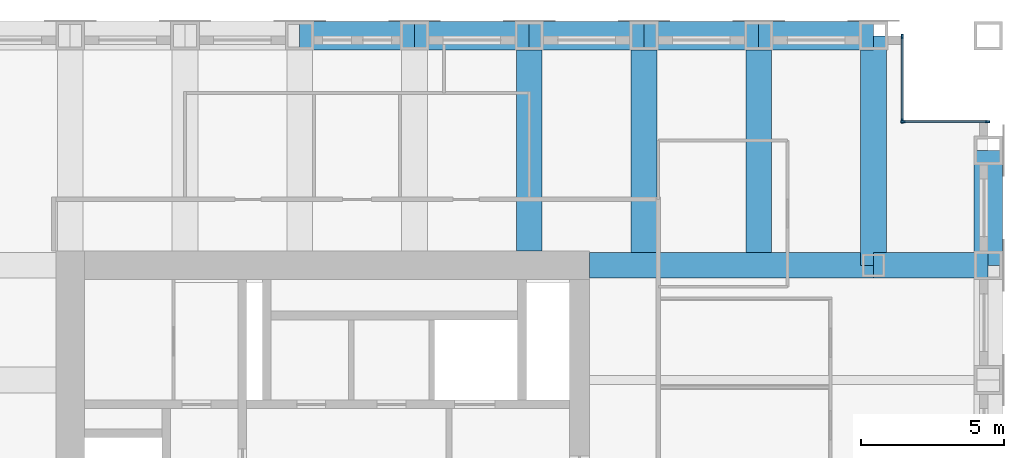
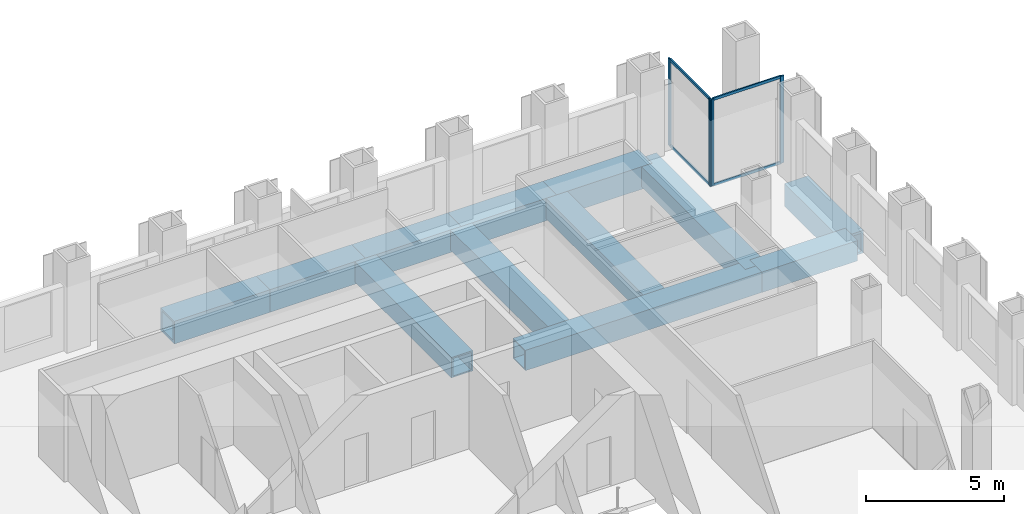
# One storey, part 6 of 11: 12 beams, 8 members, 2 elements without a shape of their own.
"""IFC4 building model written with IfcOpenShell, lengths in metres."""

from ifc_helpers import new_model, si_unit, direction, frame, origin, origin_2d, place, context, subcontext, project, spatial, rectangle, hollow_rectangle, extrude, material, material_profile, profile_set, type_object, element, aggregate, save


model = new_model("IFC4")

# Units and contexts
model_context = context("Model", 3, precision=1e-05, world=origin(), true_north=direction((0.0, 1.0)))
body_context = subcontext(model_context, "Body", "Model", "MODEL_VIEW")
ifc_project = project(units=[si_unit("LENGTHUNIT", "METRE"), si_unit("AREAUNIT", "SQUARE_METRE"), si_unit("VOLUMEUNIT", "CUBIC_METRE"), si_unit("PLANEANGLEUNIT", "RADIAN"), si_unit("MASSUNIT", "GRAM", prefix="KILO")], contexts=[model_context])

# Site, building, storey
site_placement = place(None, origin())
site = spatial("IfcSite", under=ifc_project, at=site_placement, CompositionType="ELEMENT")
building_placement = place(site_placement, origin())
building = spatial("IfcBuilding", under=site, at=building_placement, Name="Rimbunsela Tower", CompositionType="ELEMENT")
storey_placement = place(building_placement, frame((0.0, 0.0, 250.199951171875)))
storey = spatial("IfcBuildingStorey", under=building, at=storey_placement, Name="L60", CompositionType="ELEMENT", Elevation=250.199951171875)

# Beams
ifc_material_1 = material(Name="Steel BJ 55 (fy 410 MPa)", Category="steel")
ifc_material_profile_1 = material_profile(ifc_material_1, hollow_rectangle(XDim=1.0, YDim=1.0, WallThickness=0.10009765625, at=origin_2d()), Name="BOX 1000x1000x100")
ifc_profile_set_1 = profile_set([ifc_material_profile_1], Name="Steel BJ 55 (fy 410 MPa)")
beam_type_1 = type_object("IfcBeamType", Name="Beam BOX 1000x1000x100", PredefinedType="BEAM", material=ifc_profile_set_1)
for number, where, z_axis, x_axis, name in (
    (1, (26.0, 44.0, -0.64990234375), (1.0, 0.0, 0.0), (0.0, 1.0, 0.0), "Beam B3 L60"),
    (2, (30.0, 44.0, -0.64990234375), (1.0, 0.0, 0.0), (0.0, 1.0, 0.0), "Beam B3 L60"),
    (3, (34.0, 44.0, -0.64990234375), (1.0, 0.0, 0.0), (0.0, 1.0, 0.0), "Beam B3 L60"),
    (4, (38.0, 44.0, -0.64990234375), (1.0, 0.0, 0.0), (0.0, 1.0, 0.0), "Beam B3 L60"),
    (5, (42.0, 44.0, -0.64990234375), (1.0, 0.0, 0.0), (0.0, 1.0, 0.0), "Beam B3 L60"),
    (6, (50.0, 36.0, -0.64990234375), (0.0, 1.0, 0.0), (-1.0, 0.0, 0.0), "Beam B3 L60"),
):
    element("IfcBeam", number, at=place(storey_placement, frame(where, z_axis=z_axis, x_axis=x_axis)), inside=storey, type_object=beam_type_1, Name=name, PredefinedType="BEAM", context=body_context, shape_type="SweptSolid", body=[
        extrude(hollow_rectangle(XDim=1.0, YDim=1.0, WallThickness=0.10009765625, at=origin_2d()), origin(), (0.0, 0.0, 1.0), 4.0),
    ])
ifc_material_2 = material(Name="Steel BJ 55 (fy 410 MPa)", Category="steel")
ifc_material_profile_2 = material_profile(ifc_material_2, hollow_rectangle(XDim=0.89990234375, YDim=0.89990234375, WallThickness=0.06005859375, at=origin_2d()), Name="BOX 900x900x60")
ifc_profile_set_2 = profile_set([ifc_material_profile_2], Name="Steel BJ 55 (fy 410 MPa)")
beam_type_2 = type_object("IfcBeamType", Name="Beam BOX 900x900x60", PredefinedType="BEAM", material=ifc_profile_set_2)
beam_1_placement = place(storey_placement, frame((34.0, 36.5, -0.599853515625), z_axis=(0.0, 1.0, 0.0), x_axis=(-1.0, 0.0, 0.0)))
element("IfcBeam", 7, at=beam_1_placement, inside=storey, type_object=beam_type_2, Name="Beam B1 L60", PredefinedType="BEAM", context=body_context, shape_type="SweptSolid", body=[
    extrude(hollow_rectangle(XDim=0.89990234375, YDim=0.89990234375, WallThickness=0.06005859375, at=origin_2d()), origin(), (0.0, 0.0, 1.0), 7.5),
])
beam_2_placement = place(storey_placement, frame((36.10009765625, 36.0, -0.599853515625), z_axis=(1.0, 0.0, 0.0), x_axis=(0.0, 1.0, 0.0)))
element("IfcBeam", 8, at=beam_2_placement, inside=storey, type_object=beam_type_2, Name="Beam B1 L60", PredefinedType="BEAM", context=body_context, shape_type="SweptSolid", body=[
    extrude(hollow_rectangle(XDim=0.89990234375, YDim=0.89990234375, WallThickness=0.06005859375, at=origin_2d()), origin(), (0.0, 0.0, 1.0), 9.89990234375),
])
for number, where, z_axis, x_axis, name in (
    (9, (38.0, 36.449951171875, -0.599853515625), (0.0, 1.0, 0.0), (-1.0, 0.0, 0.0), "Beam B1 L60"),
    (10, (42.0, 36.449951171875, -0.599853515625), (0.0, 1.0, 0.0), (-1.0, 0.0, 0.0), "Beam B1 L60"),
):
    element("IfcBeam", number, at=place(storey_placement, frame(where, z_axis=z_axis, x_axis=x_axis)), inside=storey, type_object=beam_type_2, Name=name, PredefinedType="BEAM", context=body_context, shape_type="SweptSolid", body=[
        extrude(hollow_rectangle(XDim=0.89990234375, YDim=0.89990234375, WallThickness=0.06005859375, at=origin_2d()), origin(), (0.0, 0.0, 1.0), 7.550048828125),
    ])
beam_3_placement = place(storey_placement, frame((46.0, 36.0, -0.599853515625), z_axis=(0.0, 1.0, 0.0), x_axis=(-1.0, 0.0, 0.0)))
element("IfcBeam", 11, at=beam_3_placement, inside=storey, type_object=beam_type_2, Name="Beam B1 L60", PredefinedType="BEAM", context=body_context, shape_type="SweptSolid", body=[
    extrude(hollow_rectangle(XDim=0.89990234375, YDim=0.89990234375, WallThickness=0.06005859375, at=origin_2d()), origin(), (0.0, 0.0, 1.0), 8.0),
])
beam_4_placement = place(storey_placement, frame((46.0, 36.0, -0.599853515625), z_axis=(1.0, 0.0, 0.0), x_axis=(0.0, 1.0, 0.0)))
element("IfcBeam", 12, at=beam_4_placement, inside=storey, type_object=beam_type_2, Name="Beam B1 L60", PredefinedType="BEAM", context=body_context, shape_type="SweptSolid", body=[
    extrude(hollow_rectangle(XDim=0.89990234375, YDim=0.89990234375, WallThickness=0.06005859375, at=origin_2d()), origin(), (0.0, 0.0, 1.0), 4.0),
])

# Curtain wall, members
ifc_material_3 = material(Name="Aluminium curtain wall", Category="aluminium")
curtain_wall_type = type_object("IfcCurtainWallType", Name="Corner glazing", PredefinedType="USERDEFINED", material=ifc_material_3)
curtain_wall_1_placement = place(storey_placement, origin())
curtain_wall_1 = element("IfcCurtainWall", 13, at=curtain_wall_1_placement, inside=storey, type_object=curtain_wall_type, Name="Corner glazing L60", ObjectType="CORNER GLAZING", PredefinedType="USERDEFINED")
ifc_material_4 = material(Name="Aluminium mullion", Category="aluminium")
ifc_material_profile_3 = material_profile(ifc_material_4, rectangle(XDim=0.06005859375, YDim=0.159912109375, at=origin_2d()), Name="Mullion 60x160")
ifc_profile_set_3 = profile_set([ifc_material_profile_3], Name="Aluminium mullion")
member_type_1 = type_object("IfcMemberType", Name="Curtain wall mullion 60x160", PredefinedType="MULLION", material=ifc_profile_set_3)
member_1_placement = place(storey_placement, frame((49.969970703125, 41.0, 0.0), z_axis=(0.0, 0.0, 1.0), x_axis=(0.0, -1.0, 0.0)))
member_1 = element("IfcMember", 14, at=member_1_placement, type_object=member_type_1, Name="CW5 mullion 1", PredefinedType="MULLION", context=body_context, shape_type="SweptSolid", body=[
    extrude(rectangle(XDim=0.06005859375, YDim=0.159912109375, at=origin_2d()), origin(), (0.0, 0.0, 1.0), 3.85009765625),
])
member_2_placement = place(storey_placement, frame((47.030029296875, 41.0, 0.0), z_axis=(0.0, 0.0, 1.0), x_axis=(0.0, -1.0, 0.0)))
member_2 = element("IfcMember", 15, at=member_2_placement, type_object=member_type_1, Name="CW5 mullion 2", PredefinedType="MULLION", context=body_context, shape_type="SweptSolid", body=[
    extrude(rectangle(XDim=0.06005859375, YDim=0.159912109375, at=origin_2d()), origin(), (0.0, 0.0, 1.0), 3.85009765625),
])

curtain_wall_2_placement = place(storey_placement, origin())
curtain_wall_2 = element("IfcCurtainWall", 16, at=curtain_wall_2_placement, inside=storey, type_object=curtain_wall_type, Name="Corner glazing L60", ObjectType="CORNER GLAZING", PredefinedType="USERDEFINED")
member_3_placement = place(storey_placement, frame((47.0, 41.030029296875, 0.0), z_axis=(0.0, 0.0, 1.0), x_axis=(-1.0, 0.0, 0.0)))
member_3 = element("IfcMember", 17, at=member_3_placement, type_object=member_type_1, Name="CW5 mullion 1", PredefinedType="MULLION", context=body_context, shape_type="SweptSolid", body=[
    extrude(rectangle(XDim=0.06005859375, YDim=0.159912109375, at=origin_2d()), origin(), (0.0, 0.0, 1.0), 3.85009765625),
])
member_4_placement = place(storey_placement, frame((47.0, 43.969970703125, 0.0), z_axis=(0.0, 0.0, 1.0), x_axis=(-1.0, 0.0, 0.0)))
member_4 = element("IfcMember", 18, at=member_4_placement, type_object=member_type_1, Name="CW5 mullion 2", PredefinedType="MULLION", context=body_context, shape_type="SweptSolid", body=[
    extrude(rectangle(XDim=0.06005859375, YDim=0.159912109375, at=origin_2d()), origin(), (0.0, 0.0, 1.0), 3.85009765625),
])

# Member
ifc_material_5 = material(Name="Aluminium transom", Category="aluminium")
ifc_material_profile_4 = material_profile(ifc_material_5, rectangle(XDim=0.06005859375, YDim=0.1201171875, at=origin_2d()), Name="Transom 60x120")
ifc_profile_set_4 = profile_set([ifc_material_profile_4], Name="Aluminium transom")
member_type_2 = type_object("IfcMemberType", Name="Curtain wall transom 60x120", PredefinedType="USERDEFINED", material=ifc_profile_set_4)
member_5_placement = place(storey_placement, frame((49.93994140625, 41.0, 0.030029296875), z_axis=(-1.0, 0.0, 0.0), x_axis=(0.0, -1.0, 0.0)))
member_5 = element("IfcMember", 19, at=member_5_placement, type_object=member_type_2, Name="CW5 transom 1.1", ObjectType="TRANSOM", PredefinedType="USERDEFINED", context=body_context, shape_type="SweptSolid", body=[
    extrude(rectangle(XDim=0.06005859375, YDim=0.1201171875, at=origin_2d()), origin(), (0.0, 0.0, 1.0), 2.8798828125),
])

member_6_placement = place(storey_placement, frame((49.93994140625, 41.0, 3.820068359375), z_axis=(-1.0, 0.0, 0.0), x_axis=(0.0, -1.0, 0.0)))
member_6 = element("IfcMember", 20, at=member_6_placement, type_object=member_type_2, Name="CW5 transom 1.2", ObjectType="TRANSOM", PredefinedType="USERDEFINED", context=body_context, shape_type="SweptSolid", body=[
    extrude(rectangle(XDim=0.06005859375, YDim=0.1201171875, at=origin_2d()), origin(), (0.0, 0.0, 1.0), 2.8798828125),
])

aggregate(curtain_wall_1, [member_1, member_2, member_5, member_6])

member_7_placement = place(storey_placement, frame((47.0, 41.06005859375, 0.030029296875), z_axis=(0.0, 1.0, 0.0), x_axis=(-1.0, 0.0, 0.0)))
member_7 = element("IfcMember", 21, at=member_7_placement, type_object=member_type_2, Name="CW5 transom 1.1", ObjectType="TRANSOM", PredefinedType="USERDEFINED", context=body_context, shape_type="SweptSolid", body=[
    extrude(rectangle(XDim=0.06005859375, YDim=0.1201171875, at=origin_2d()), origin(), (0.0, 0.0, 1.0), 2.8798828125),
])

member_8_placement = place(storey_placement, frame((47.0, 41.06005859375, 3.820068359375), z_axis=(0.0, 1.0, 0.0), x_axis=(-1.0, 0.0, 0.0)))
member_8 = element("IfcMember", 22, at=member_8_placement, type_object=member_type_2, Name="CW5 transom 1.2", ObjectType="TRANSOM", PredefinedType="USERDEFINED", context=body_context, shape_type="SweptSolid", body=[
    extrude(rectangle(XDim=0.06005859375, YDim=0.1201171875, at=origin_2d()), origin(), (0.0, 0.0, 1.0), 2.8798828125),
])

aggregate(curtain_wall_2, [member_3, member_4, member_7, member_8])

save(model, "model.ifc")
